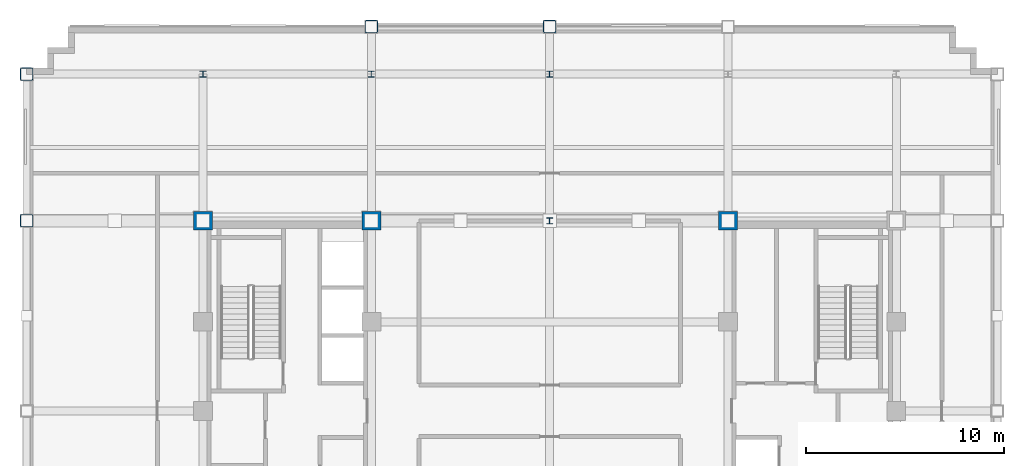
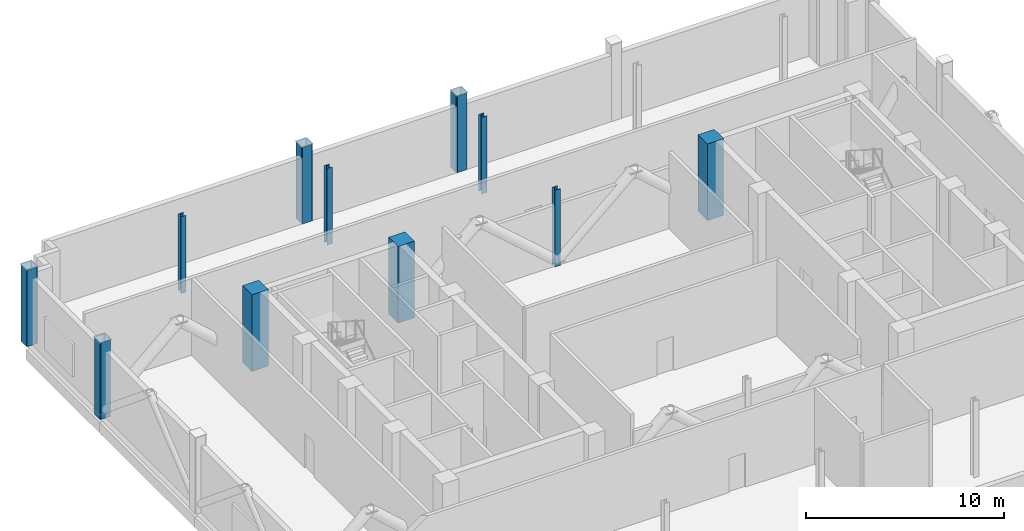
# One storey, part 3 of 13: 11 columns.
"""IFC4 building model written with IfcOpenShell, lengths in metres."""

from ifc_helpers import new_model, si_unit, direction, frame, origin, origin_2d, place, context, subcontext, project, spatial, rectangle, hollow_rectangle, i_section, extrude, material, material_profile, profile_set, type_object, element, save


model = new_model("IFC4")

# Units and contexts
model_context = context("Model", 3, precision=1e-05, world=origin(), true_north=direction((0.0, 1.0)))
body_context = subcontext(model_context, "Body", "Model", "MODEL_VIEW")
ifc_project = project(units=[si_unit("LENGTHUNIT", "METRE"), si_unit("AREAUNIT", "SQUARE_METRE"), si_unit("VOLUMEUNIT", "CUBIC_METRE"), si_unit("PLANEANGLEUNIT", "RADIAN"), si_unit("MASSUNIT", "GRAM", prefix="KILO")], contexts=[model_context])

# Site, building, storey
site_placement = place(None, origin())
site = spatial("IfcSite", under=ifc_project, at=site_placement, CompositionType="ELEMENT")
building_placement = place(site_placement, origin())
building = spatial("IfcBuilding", under=site, at=building_placement, Name="Nuvemarco Arch Tower", CompositionType="ELEMENT")
storey_placement = place(building_placement, frame((0.0, 0.0, 185.89990234375)))
storey = spatial("IfcBuildingStorey", under=building, at=storey_placement, Name="L49", CompositionType="ELEMENT", Elevation=185.89990234375)

# Columns
ifc_material_1 = material(Name="Concrete C50/60", Category="concrete")
ifc_material_profile_1 = material_profile(ifc_material_1, rectangle(XDim=0.949951171875, YDim=0.949951171875, at=origin_2d()), Name="RC-COL-950x950")
ifc_profile_set_1 = profile_set([ifc_material_profile_1], Name="Concrete C50/60")
column_type_1 = type_object("IfcColumnType", Name="COL-CORE-950", PredefinedType="COLUMN", material=ifc_profile_set_1)
for number, where, z_axis, x_axis, name in (
    (1, (-17.5, 9.60009765625, 0.0), (0.0, 0.0, 1.0), (1.0, 0.0, 0.0), "L49 column CC_-17.5_+9.6"),
    (2, (-9.0, 9.60009765625, 0.0), (0.0, 0.0, 1.0), (1.0, 0.0, 0.0), "L49 column CC_-9.0_+9.6"),
    (3, (9.0, 9.60009765625, 0.0), (0.0, 0.0, 1.0), (1.0, 0.0, 0.0), "L49 column CC_+9.0_+9.6"),
):
    element("IfcColumn", number, at=place(storey_placement, frame(where, z_axis=z_axis, x_axis=x_axis)), inside=storey, type_object=column_type_1, Name=name, PredefinedType="COLUMN", context=body_context, shape_type="SweptSolid", body=[
        extrude(rectangle(XDim=0.949951171875, YDim=0.949951171875, at=origin_2d()), origin(), (0.0, 0.0, 1.0), 4.72021484375),
    ])
ifc_material_2 = material(Name="Steel S355", Category="steel")
ifc_material_profile_2 = material_profile(ifc_material_2, hollow_rectangle(XDim=0.64990234375, YDim=0.64990234375, WallThickness=0.0400390625, InnerFilletRadius=0.0400390625, OuterFilletRadius=0.080078125, at=origin_2d()), Name="SHS650x650x40")
ifc_profile_set_2 = profile_set([ifc_material_profile_2], Name="Steel S355")
column_type_2 = type_object("IfcColumnType", Name="COL-EXO-650", PredefinedType="COLUMN", material=ifc_profile_set_2)
for number, where, z_axis, x_axis, name in (
    (4, (-26.39990234375, 9.60009765625, 0.0), (0.0, 0.0, 1.0), (1.0, 0.0, 0.0), "L49 column CX_-26.4_+9.6"),
    (5, (-26.39990234375, 17.0, 0.0), (0.0, 0.0, 1.0), (1.0, 0.0, 0.0), "L49 column CX_-26.4_+17.0"),
    (6, (-9.0, 19.39990234375, 0.0), (0.0, 0.0, 1.0), (1.0, 0.0, 0.0), "L49 column CY_-9.0_+19.4"),
    (7, (0.0, 19.39990234375, 0.0), (0.0, 0.0, 1.0), (1.0, 0.0, 0.0), "L49 column CY_+0.0_+19.4"),
):
    element("IfcColumn", number, at=place(storey_placement, frame(where, z_axis=z_axis, x_axis=x_axis)), inside=storey, type_object=column_type_2, Name=name, PredefinedType="COLUMN", context=body_context, shape_type="SweptSolid", body=[
        extrude(hollow_rectangle(XDim=0.64990234375, YDim=0.64990234375, WallThickness=0.0400390625, InnerFilletRadius=0.0400390625, OuterFilletRadius=0.080078125, at=origin_2d()), origin(), (0.0, 0.0, 1.0), 4.72021484375),
    ])
ifc_material_profile_3 = material_profile(ifc_material_2, i_section(OverallWidth=0.31005859375, OverallDepth=0.31005859375, WebThickness=0.015380859375, FlangeThickness=0.015380859375, FilletRadius=0.014892578125, at=origin_2d()), Name="HP310x110")
ifc_profile_set_3 = profile_set([ifc_material_profile_3], Name="Steel S355")
column_type_3 = type_object("IfcColumnType", Name="COL-STL-HP310", PredefinedType="COLUMN", material=ifc_profile_set_3)
for number, where, z_axis, x_axis, name in (
    (8, (0.0, 9.60009765625, 0.0), (0.0, 0.0, 1.0), (1.0, 0.0, 0.0), "L49 column CI_+0.0_+9.6"),
    (9, (0.0, 17.0, 0.0), (0.0, 0.0, 1.0), (1.0, 0.0, 0.0), "L49 column CI_+0.0_+17.0"),
    (10, (-17.5, 17.0, 0.0), (0.0, 0.0, 1.0), (1.0, 0.0, 0.0), "L49 column CI_-17.5_+17.0"),
    (11, (-9.0, 17.0, 0.0), (0.0, 0.0, 1.0), (1.0, 0.0, 0.0), "L49 column CI_-9.0_+17.0"),
):
    element("IfcColumn", number, at=place(storey_placement, frame(where, z_axis=z_axis, x_axis=x_axis)), inside=storey, type_object=column_type_3, Name=name, PredefinedType="COLUMN", context=body_context, shape_type="SweptSolid", body=[
        extrude(i_section(OverallWidth=0.31005859375, OverallDepth=0.31005859375, WebThickness=0.015380859375, FlangeThickness=0.015380859375, FilletRadius=0.014892578125, at=origin_2d()), origin(), (0.0, 0.0, 1.0), 4.72021484375),
    ])

save(model, "model.ifc")
